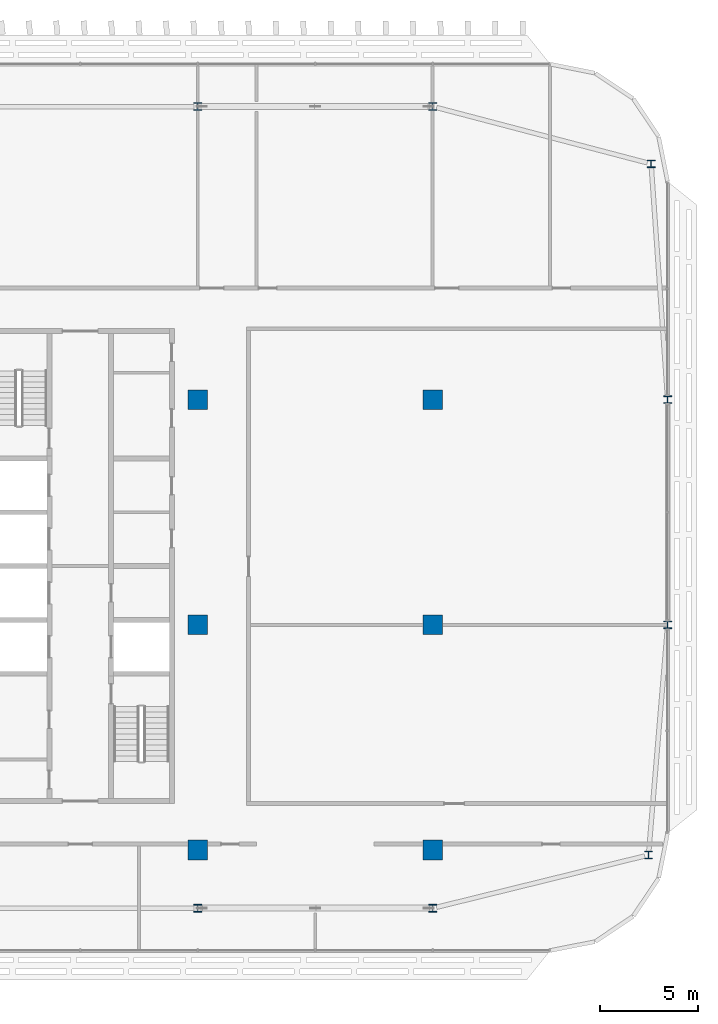
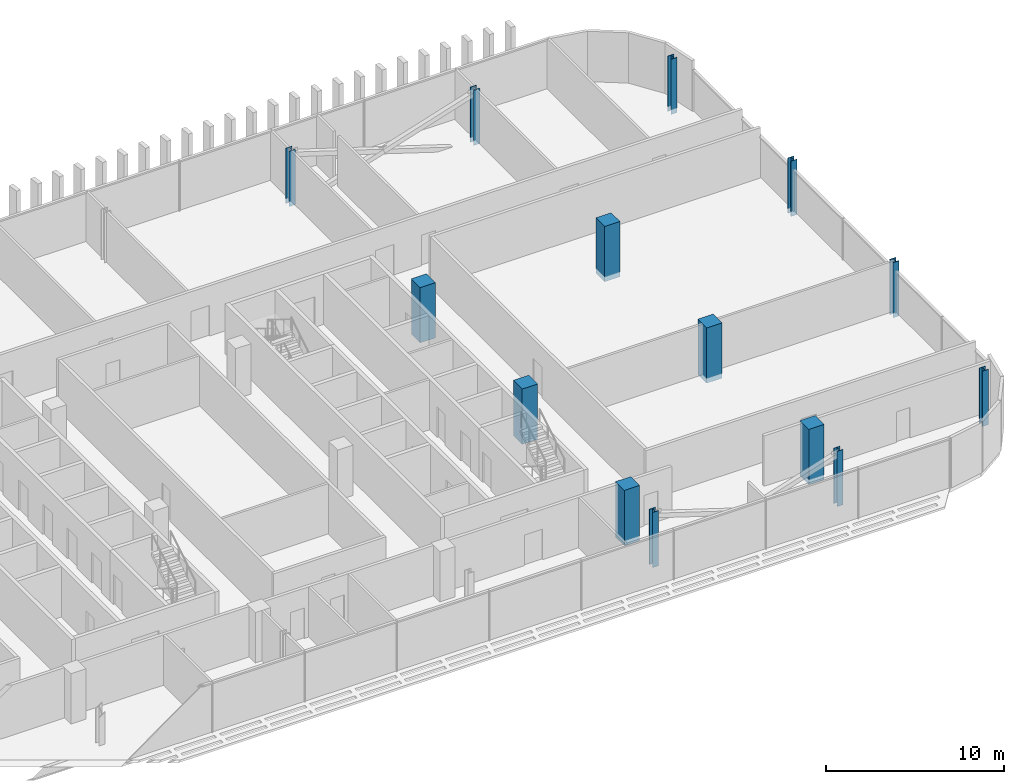
# One storey, part 4 of 32: 14 columns.
"""IFC4 building model written with IfcOpenShell, lengths in metres."""

from ifc_helpers import new_model, si_unit, direction, frame, origin, origin_2d, place, context, subcontext, project, spatial, rectangle, i_section, extrude, material, material_profile, profile_set, type_object, element, save


model = new_model("IFC4")

# Units and contexts
model_context = context("Model", 3, precision=1e-05, world=origin(), true_north=direction((0.0, 1.0)))
body_context = subcontext(model_context, "Body", "Model", "MODEL_VIEW")
ifc_project = project(units=[si_unit("LENGTHUNIT", "METRE"), si_unit("AREAUNIT", "SQUARE_METRE"), si_unit("VOLUMEUNIT", "CUBIC_METRE"), si_unit("PLANEANGLEUNIT", "RADIAN"), si_unit("MASSUNIT", "GRAM", prefix="KILO")], contexts=[model_context])

# Site, building, storey
site_placement = place(None, origin())
site = spatial("IfcSite", under=ifc_project, at=site_placement, CompositionType="ELEMENT")
building_placement = place(site_placement, origin())
building = spatial("IfcBuilding", under=site, at=building_placement, Name="Mahtab Terrace Research Tower", CompositionType="ELEMENT")
storey_placement = place(building_placement, frame((0.0, 0.0, 232.39990234375)))
storey = spatial("IfcBuildingStorey", under=building, at=storey_placement, Name="L56", CompositionType="ELEMENT", Elevation=232.39990234375)

# Columns
ifc_material_1 = material(Name="Concrete C70/85", Category="concrete")
ifc_material_profile_1 = material_profile(ifc_material_1, rectangle(XDim=1.0, YDim=1.0, at=origin_2d()), Name="RC column 1000x1000")
ifc_profile_set_1 = profile_set([ifc_material_profile_1], Name="Concrete C70/85")
column_type_1 = type_object("IfcColumnType", Name="RC column 1000x1000", PredefinedType="COLUMN", material=ifc_profile_set_1)
for number, where, z_axis, x_axis, name in (
    (1, (30.0, -11.5, -0.33984375), (0.0, 0.0, 1.0), (1.0, 0.0, 0.0), "Column RC-7A L56"),
    (2, (30.0, 0.0, -0.33984375), (0.0, 0.0, 1.0), (1.0, 0.0, 0.0), "Column RC-7B L56"),
    (3, (30.0, 11.5, -0.33984375), (0.0, 0.0, 1.0), (1.0, 0.0, 0.0), "Column RC-7C L56"),
    (4, (42.0, -11.5, -0.33984375), (0.0, 0.0, 1.0), (1.0, 0.0, 0.0), "Column RC-8A L56"),
    (5, (42.0, 0.0, -0.33984375), (0.0, 0.0, 1.0), (1.0, 0.0, 0.0), "Column RC-8B L56"),
    (6, (42.0, 11.5, -0.33984375), (0.0, 0.0, 1.0), (1.0, 0.0, 0.0), "Column RC-8C L56"),
):
    element("IfcColumn", number, at=place(storey_placement, frame(where, z_axis=z_axis, x_axis=x_axis)), inside=storey, type_object=column_type_1, Name=name, PredefinedType="COLUMN", context=body_context, shape_type="SweptSolid", body=[
        extrude(rectangle(XDim=1.0, YDim=1.0, at=origin_2d()), origin(), (0.0, 0.0, 1.0), 3.800048828125),
    ])
ifc_material_2 = material(Name="Steel ASTM A992 Gr 50", Category="steel")
ifc_material_profile_2 = material_profile(ifc_material_2, i_section(OverallWidth=0.398681640625, OverallDepth=0.385986328125, WebThickness=0.02099609375, FlangeThickness=0.033203125, at=origin_2d()), Name="W14X176")
ifc_profile_set_2 = profile_set([ifc_material_profile_2], Name="Steel ASTM A992 Gr 50")
column_type_2 = type_object("IfcColumnType", Name="W14x176 column CS14176", PredefinedType="COLUMN", material=ifc_profile_set_2)
for number, where, z_axis, x_axis, name in (
    (7, (53.154052734375, 23.5458984375, -0.33984375), (0.0, 0.0, 1.0), (1.0, 0.0, 0.0), "Column SC-052 L56"),
    (8, (42.0, 26.472900390625, -0.33984375), (0.0, 0.0, 1.0), (1.0, 0.0, 0.0), "Column SC-053 L56"),
    (9, (30.0, 26.472900390625, -0.33984375), (0.0, 0.0, 1.0), (1.0, 0.0, 0.0), "Column SC-054 L56"),
    (10, (30.0, -14.472900390625, -0.33984375), (0.0, 0.0, 1.0), (1.0, 0.0, 0.0), "Column SC-067 L56"),
    (11, (42.0, -14.472900390625, -0.33984375), (0.0, 0.0, 1.0), (1.0, 0.0, 0.0), "Column SC-068 L56"),
    (12, (53.02099609375, -11.758056640625, -0.33984375), (0.0, 0.0, 1.0), (1.0, 0.0, 0.0), "Column SC-069 L56"),
    (13, (54.0, 0.0, -0.33984375), (0.0, 0.0, 1.0), (1.0, 0.0, 0.0), "Column SC-028 L56"),
    (14, (54.0, 11.5, -0.33984375), (0.0, 0.0, 1.0), (1.0, 0.0, 0.0), "Column SC-029 L56"),
):
    element("IfcColumn", number, at=place(storey_placement, frame(where, z_axis=z_axis, x_axis=x_axis)), inside=storey, type_object=column_type_2, Name=name, PredefinedType="COLUMN", context=body_context, shape_type="SweptSolid", body=[
        extrude(i_section(OverallWidth=0.398681640625, OverallDepth=0.385986328125, WebThickness=0.02099609375, FlangeThickness=0.033203125, at=origin_2d()), origin(), (0.0, 0.0, 1.0), 3.800048828125),
    ])

save(model, "model.ifc")
